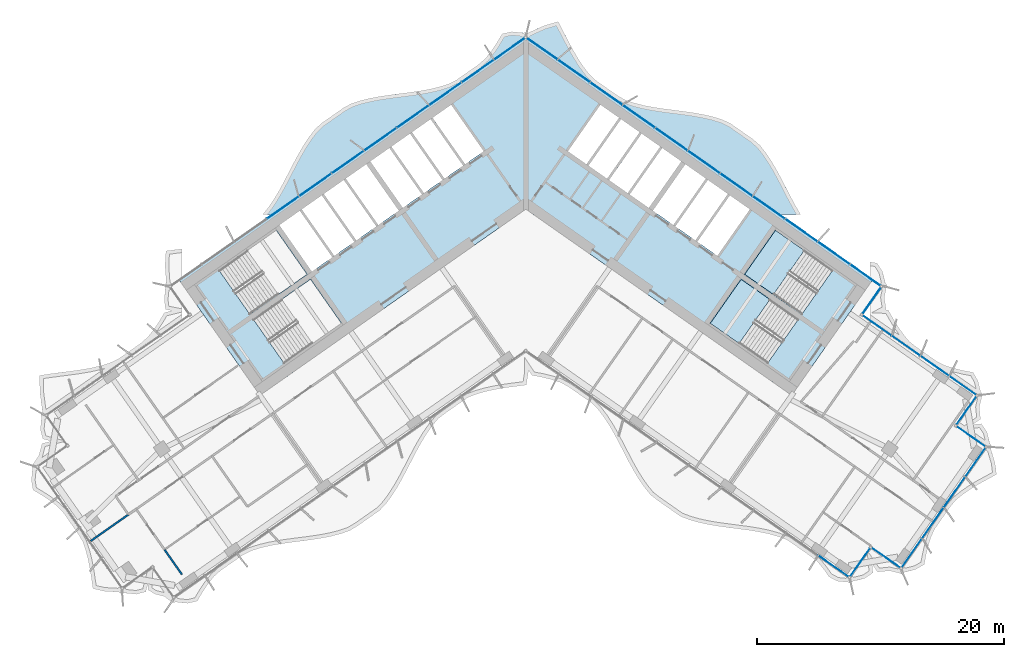
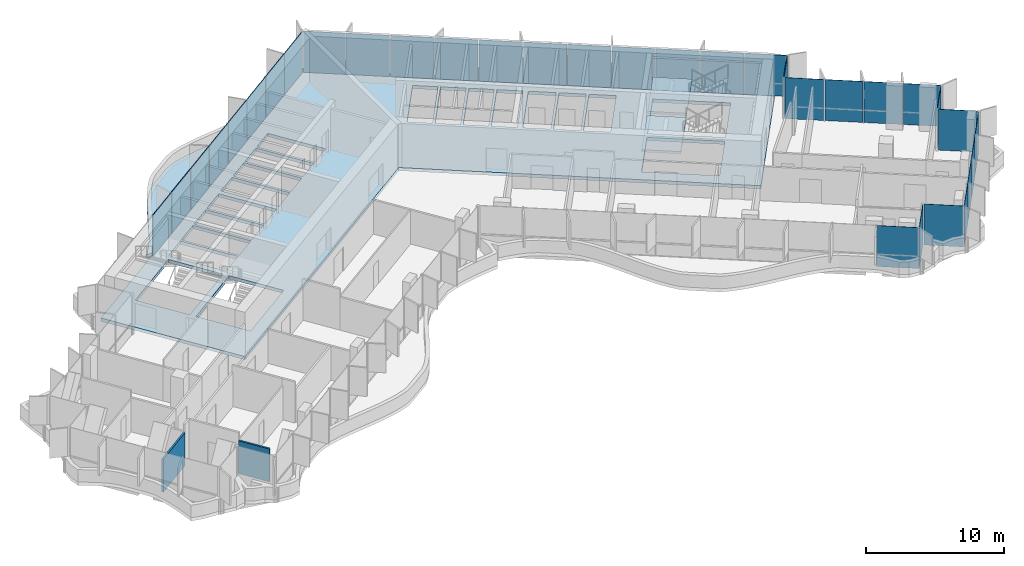
# One storey, part 11 of 21: 33 plates, 4 slabs, 2 walls, 4 elements without a shape of their own.
"""IFC4 building model written with IfcOpenShell, lengths in metres."""

from ifc_helpers import new_model, si_unit, direction, frame, frame_2d, origin, origin_2d, place, context, subcontext, project, spatial, polyline, rectangle, outline, extrude, material, layer, layer_set, type_object, element, aggregate, save


model = new_model("IFC4")

# Units and contexts
model_context = context("Model", 3, precision=1e-05, world=origin(), true_north=direction((0.0, 1.0)))
body_context = subcontext(model_context, "Body", "Model", "MODEL_VIEW")
ifc_project = project(units=[si_unit("LENGTHUNIT", "METRE"), si_unit("AREAUNIT", "SQUARE_METRE"), si_unit("VOLUMEUNIT", "CUBIC_METRE"), si_unit("PLANEANGLEUNIT", "RADIAN"), si_unit("MASSUNIT", "GRAM", prefix="KILO")], contexts=[model_context])

# Site, building, storey
site_placement = place(None, origin())
site = spatial("IfcSite", under=ifc_project, at=site_placement, CompositionType="ELEMENT")
building_placement = place(site_placement, origin())
building = spatial("IfcBuilding", under=site, at=building_placement, Name="Tel Ilan Convention Tower", CompositionType="ELEMENT")
storey_placement = place(building_placement, frame((0.0, 0.0, 163.199951171875)))
storey = spatial("IfcBuildingStorey", under=building, at=storey_placement, Name="L37", CompositionType="ELEMENT", Elevation=163.199951171875)

# Curtain wall, plates
ifc_material_1 = material(Name="Aluminium, bronze anodised", Category="aluminium")
curtain_wall_type_1 = type_object("IfcCurtainWallType", Name="CW4 STICK CURTAIN WALL, OFFICE TINTED GLASS", PredefinedType="NOTDEFINED", material=ifc_material_1)
curtain_wall_1_placement = place(storey_placement, origin())
curtain_wall_1 = element("IfcCurtainWall", 1, at=curtain_wall_1_placement, inside=storey, type_object=curtain_wall_type_1, Name="Curtain wall CW4-29.02", PredefinedType="NOTDEFINED")
ifc_material_2 = material(Name="Glass, bronze tinted, two-ply", Category="glass")
ifc_layer_1 = layer(ifc_material_2, 0.028076171875)
ifc_layer_set_1 = layer_set([ifc_layer_1], Name="CW GLASS PANEL 28")
plate_type_1 = type_object("IfcPlateType", Name="CW GLASS PANEL 28", PredefinedType="CURTAIN_PANEL", material=ifc_layer_set_1)
plate_1_placement = place(storey_placement, frame((24.958251953125, -30.172119140625, 0.0), z_axis=(0.0, 0.0, 1.0), x_axis=(0.819152044289, -0.573576436351, 0.0)))
plate_1 = element("IfcPlate", 2, at=plate_1_placement, type_object=plate_type_1, Name="Glass panel", PredefinedType="CURTAIN_PANEL", context=body_context, shape_type="SweptSolid", body=[
    extrude(rectangle(XDim=3.05078125, YDim=0.028076171875, at=origin_2d()), origin(), (0.0, 0.0, 1.0), 3.6201171875),
])
plate_2_placement = place(storey_placement, frame((27.065673828125, -29.863525390625, 0.0), z_axis=(0.0, 0.0, 1.0), x_axis=(0.573576436351, 0.819152044289, 0.0)))
plate_2 = element("IfcPlate", 3, at=plate_2_placement, type_object=plate_type_1, Name="Glass panel", PredefinedType="CURTAIN_PANEL", context=body_context, shape_type="SweptSolid", body=[
    extrude(rectangle(XDim=2.875, YDim=0.028076171875, at=origin_2d()), origin(), (0.0, 0.0, 1.0), 3.6201171875),
])
plate_3_placement = place(storey_placement, frame((29.20849609375, -29.48583984375, 0.0), z_axis=(0.0, 0.0, 1.0), x_axis=(0.819152044289, -0.573576436351, 0.0)))
plate_3 = element("IfcPlate", 4, at=plate_3_placement, type_object=plate_type_1, Name="Glass panel", PredefinedType="CURTAIN_PANEL", context=body_context, shape_type="SweptSolid", body=[
    extrude(rectangle(XDim=2.875, YDim=0.028076171875, at=origin_2d()), origin(), (0.0, 0.0, 1.0), 3.6201171875),
])
plate_4_placement = place(storey_placement, frame((31.25, -29.1181640625, 0.0), z_axis=(0.0, 0.0, 1.0), x_axis=(0.573576436351, 0.819152044289, 0.0)))
plate_4 = element("IfcPlate", 5, at=plate_4_placement, type_object=plate_type_1, Name="Glass panel", PredefinedType="CURTAIN_PANEL", context=body_context, shape_type="SweptSolid", body=[
    extrude(rectangle(XDim=2.89599609375, YDim=0.028076171875, at=origin_2d()), origin(), (0.0, 0.0, 1.0), 3.6201171875),
])
plate_5_placement = place(storey_placement, frame((32.972412109375, -26.658203125, 0.0), z_axis=(0.0, 0.0, 1.0), x_axis=(0.573576436351, 0.819152044289, 0.0)))
plate_5 = element("IfcPlate", 6, at=plate_5_placement, type_object=plate_type_1, Name="Glass panel", PredefinedType="CURTAIN_PANEL", context=body_context, shape_type="SweptSolid", body=[
    extrude(rectangle(XDim=2.989990234375, YDim=0.028076171875, at=origin_2d()), origin(), (0.0, 0.0, 1.0), 3.6201171875),
])
plate_6_placement = place(storey_placement, frame((34.721923828125, -24.159912109375, 0.0), z_axis=(0.0, 0.0, 1.0), x_axis=(0.573576436351, 0.819152044289, 0.0)))
plate_6 = element("IfcPlate", 7, at=plate_6_placement, type_object=plate_type_1, Name="Glass panel", PredefinedType="CURTAIN_PANEL", context=body_context, shape_type="SweptSolid", body=[
    extrude(rectangle(XDim=2.989990234375, YDim=0.028076171875, at=origin_2d()), origin(), (0.0, 0.0, 1.0), 3.6201171875),
])
plate_7_placement = place(storey_placement, frame((36.4443359375, -21.699951171875, 0.0), z_axis=(0.0, 0.0, 1.0), x_axis=(0.573576436351, 0.819152044289, 0.0)))
plate_7 = element("IfcPlate", 8, at=plate_7_placement, type_object=plate_type_1, Name="Glass panel", PredefinedType="CURTAIN_PANEL", context=body_context, shape_type="SweptSolid", body=[
    extrude(rectangle(XDim=2.89599609375, YDim=0.028076171875, at=origin_2d()), origin(), (0.0, 0.0, 1.0), 3.6201171875),
])
plate_8_placement = place(storey_placement, frame((36.09130859375, -19.656005859375, 0.0), z_axis=(0.0, 0.0, 1.0), x_axis=(-0.819152044289, 0.573576436351, 0.0)))
plate_8 = element("IfcPlate", 9, at=plate_8_placement, type_object=plate_type_1, Name="Glass panel", PredefinedType="CURTAIN_PANEL", context=body_context, shape_type="SweptSolid", body=[
    extrude(rectangle(XDim=2.875, YDim=0.028076171875, at=origin_2d()), origin(), (0.0, 0.0, 1.0), 3.6201171875),
])
plate_9_placement = place(storey_placement, frame((35.713623046875, -17.51318359375, 0.0), z_axis=(0.0, 0.0, 1.0), x_axis=(0.573576436351, 0.819152044289, 0.0)))
plate_9 = element("IfcPlate", 10, at=plate_9_placement, type_object=plate_type_1, Name="Glass panel", PredefinedType="CURTAIN_PANEL", context=body_context, shape_type="SweptSolid", body=[
    extrude(rectangle(XDim=2.875, YDim=0.028076171875, at=origin_2d()), origin(), (0.0, 0.0, 1.0), 3.6201171875),
])
plate_10_placement = place(storey_placement, frame((35.427978515625, -15.529052734375, 0.0), z_axis=(0.0, 0.0, 1.0), x_axis=(-0.819152044289, 0.573576436351, 0.0)))
plate_10 = element("IfcPlate", 11, at=plate_10_placement, type_object=plate_type_1, Name="Glass panel", PredefinedType="CURTAIN_PANEL", context=body_context, shape_type="SweptSolid", body=[
    extrude(rectangle(XDim=2.696044921875, YDim=0.028076171875, at=origin_2d()), origin(), (0.0, 0.0, 1.0), 3.6201171875),
])
plate_11_placement = place(storey_placement, frame((33.1318359375, -13.92138671875, 0.0), z_axis=(0.0, 0.0, 1.0), x_axis=(-0.819152044289, 0.573576436351, 0.0)))
plate_11 = element("IfcPlate", 12, at=plate_11_placement, type_object=plate_type_1, Name="Glass panel", PredefinedType="CURTAIN_PANEL", context=body_context, shape_type="SweptSolid", body=[
    extrude(rectangle(XDim=2.7900390625, YDim=0.028076171875, at=origin_2d()), origin(), (0.0, 0.0, 1.0), 3.6201171875),
])
plate_12_placement = place(storey_placement, frame((30.79736328125, -12.28662109375, 0.0), z_axis=(0.0, 0.0, 1.0), x_axis=(-0.819152044289, 0.573576436351, 0.0)))
plate_12 = element("IfcPlate", 13, at=plate_12_placement, type_object=plate_type_1, Name="Glass panel", PredefinedType="CURTAIN_PANEL", context=body_context, shape_type="SweptSolid", body=[
    extrude(rectangle(XDim=2.7900390625, YDim=0.028076171875, at=origin_2d()), origin(), (0.0, 0.0, 1.0), 3.6201171875),
])
plate_13_placement = place(storey_placement, frame((28.450927734375, -10.6435546875, 0.0), z_axis=(0.0, 0.0, 1.0), x_axis=(-0.819152044289, 0.573576436351, 0.0)))
plate_13 = element("IfcPlate", 14, at=plate_13_placement, type_object=plate_type_1, Name="Glass panel", PredefinedType="CURTAIN_PANEL", context=body_context, shape_type="SweptSolid", body=[
    extrude(rectangle(XDim=2.819091796875, YDim=0.028076171875, at=origin_2d()), origin(), (0.0, 0.0, 1.0), 3.6201171875),
])
aggregate(curtain_wall_1, [plate_1, plate_2, plate_3, plate_4, plate_5, plate_6, plate_7, plate_8, plate_9, plate_10, plate_11, plate_12, plate_13])

ifc_material_3 = material(Name="Aluminium, bronze anodised", Category="aluminium")
curtain_wall_type_2 = type_object("IfcCurtainWallType", Name="CW2 STICK CURTAIN WALL, SPANDREL PANELS", PredefinedType="NOTDEFINED", material=ifc_material_3)
curtain_wall_2_placement = place(storey_placement, origin())
curtain_wall_2 = element("IfcCurtainWall", 15, at=curtain_wall_2_placement, inside=storey, type_object=curtain_wall_type_2, Name="Curtain wall CW2-29.01", PredefinedType="NOTDEFINED")
ifc_material_4 = material(Name="Aluminium composite panel, bronze anodised", Category="aluminium")
ifc_layer_2 = layer(ifc_material_4, 0.06005859375)
ifc_layer_set_2 = layer_set([ifc_layer_2], Name="CW SPANDREL PANEL 60")
plate_type_2 = type_object("IfcPlateType", Name="CW SPANDREL PANEL 60", PredefinedType="CURTAIN_PANEL", material=ifc_layer_set_2)
plate_14_placement = place(storey_placement, frame((28.033935546875, -8.60546875, 0.0), z_axis=(0.0, 0.0, 1.0), x_axis=(0.573576436351, 0.819152044289, 0.0)))
plate_14 = element("IfcPlate", 16, at=plate_14_placement, type_object=plate_type_2, Name="Spandrel panel", PredefinedType="CURTAIN_PANEL", context=body_context, shape_type="SweptSolid", body=[
    extrude(rectangle(XDim=2.658935546875, YDim=0.06005859375, at=origin_2d()), origin(), (0.0, 0.0, 1.0), 3.6201171875),
])
plate_15_placement = place(storey_placement, frame((27.5400390625, -6.587646484375, 0.0), z_axis=(0.0, 0.0, 1.0), x_axis=(-0.819152044289, 0.573576436351, 0.0)))
plate_15 = element("IfcPlate", 17, at=plate_15_placement, type_object=plate_type_2, Name="Spandrel panel", PredefinedType="CURTAIN_PANEL", context=body_context, shape_type="SweptSolid", body=[
    extrude(rectangle(XDim=3.0439453125, YDim=0.06005859375, at=origin_2d()), origin(), (0.0, 0.0, 1.0), 3.6201171875),
])
plate_16_placement = place(storey_placement, frame((24.95263671875, -4.77587890625, 0.0), z_axis=(0.0, 0.0, 1.0), x_axis=(-0.819152044289, 0.573576436351, 0.0)))
plate_16 = element("IfcPlate", 18, at=plate_16_placement, type_object=plate_type_2, Name="Spandrel panel", PredefinedType="CURTAIN_PANEL", context=body_context, shape_type="SweptSolid", body=[
    extrude(rectangle(XDim=3.15380859375, YDim=0.06005859375, at=origin_2d()), origin(), (0.0, 0.0, 1.0), 3.6201171875),
])
plate_17_placement = place(storey_placement, frame((22.31982421875, -2.9326171875, 0.0), z_axis=(0.0, 0.0, 1.0), x_axis=(-0.819152044289, 0.573576436351, 0.0)))
plate_17 = element("IfcPlate", 19, at=plate_17_placement, type_object=plate_type_2, Name="Spandrel panel", PredefinedType="CURTAIN_PANEL", context=body_context, shape_type="SweptSolid", body=[
    extrude(rectangle(XDim=3.15380859375, YDim=0.06005859375, at=origin_2d()), origin(), (0.0, 0.0, 1.0), 3.6201171875),
])
plate_18_placement = place(storey_placement, frame((19.687255859375, -1.089111328125, 0.0), z_axis=(0.0, 0.0, 1.0), x_axis=(-0.819152044289, 0.573576436351, 0.0)))
plate_18 = element("IfcPlate", 20, at=plate_18_placement, type_object=plate_type_2, Name="Spandrel panel", PredefinedType="CURTAIN_PANEL", context=body_context, shape_type="SweptSolid", body=[
    extrude(rectangle(XDim=3.15380859375, YDim=0.06005859375, at=origin_2d()), origin(), (0.0, 0.0, 1.0), 3.6201171875),
])
plate_19_placement = place(storey_placement, frame((17.0546875, 0.754150390625, 0.0), z_axis=(0.0, 0.0, 1.0), x_axis=(-0.819152044289, 0.573576436351, 0.0)))
plate_19 = element("IfcPlate", 21, at=plate_19_placement, type_object=plate_type_2, Name="Spandrel panel", PredefinedType="CURTAIN_PANEL", context=body_context, shape_type="SweptSolid", body=[
    extrude(rectangle(XDim=3.15380859375, YDim=0.06005859375, at=origin_2d()), origin(), (0.0, 0.0, 1.0), 3.6201171875),
])
plate_20_placement = place(storey_placement, frame((14.422119140625, 2.59765625, 0.0), z_axis=(0.0, 0.0, 1.0), x_axis=(-0.819152044289, 0.573576436351, 0.0)))
plate_20 = element("IfcPlate", 22, at=plate_20_placement, type_object=plate_type_2, Name="Spandrel panel", PredefinedType="CURTAIN_PANEL", context=body_context, shape_type="SweptSolid", body=[
    extrude(rectangle(XDim=3.15380859375, YDim=0.06005859375, at=origin_2d()), origin(), (0.0, 0.0, 1.0), 3.6201171875),
])
plate_21_placement = place(storey_placement, frame((11.789306640625, 4.44091796875, 0.0), z_axis=(0.0, 0.0, 1.0), x_axis=(-0.819152044289, 0.573576436351, 0.0)))
plate_21 = element("IfcPlate", 23, at=plate_21_placement, type_object=plate_type_2, Name="Spandrel panel", PredefinedType="CURTAIN_PANEL", context=body_context, shape_type="SweptSolid", body=[
    extrude(rectangle(XDim=3.15380859375, YDim=0.06005859375, at=origin_2d()), origin(), (0.0, 0.0, 1.0), 3.6201171875),
])
plate_22_placement = place(storey_placement, frame((9.15673828125, 6.284423828125, 0.0), z_axis=(0.0, 0.0, 1.0), x_axis=(-0.819152044289, 0.573576436351, 0.0)))
plate_22 = element("IfcPlate", 24, at=plate_22_placement, type_object=plate_type_2, Name="Spandrel panel", PredefinedType="CURTAIN_PANEL", context=body_context, shape_type="SweptSolid", body=[
    extrude(rectangle(XDim=3.15380859375, YDim=0.06005859375, at=origin_2d()), origin(), (0.0, 0.0, 1.0), 3.6201171875),
])
plate_23_placement = place(storey_placement, frame((6.524169921875, 8.127685546875, 0.0), z_axis=(0.0, 0.0, 1.0), x_axis=(-0.819152044289, 0.573576436351, 0.0)))
plate_23 = element("IfcPlate", 25, at=plate_23_placement, type_object=plate_type_2, Name="Spandrel panel", PredefinedType="CURTAIN_PANEL", context=body_context, shape_type="SweptSolid", body=[
    extrude(rectangle(XDim=3.15380859375, YDim=0.06005859375, at=origin_2d()), origin(), (0.0, 0.0, 1.0), 3.6201171875),
])
plate_24_placement = place(storey_placement, frame((3.8916015625, 9.97119140625, 0.0), z_axis=(0.0, 0.0, 1.0), x_axis=(-0.819152044289, 0.573576436351, 0.0)))
plate_24 = element("IfcPlate", 26, at=plate_24_placement, type_object=plate_type_2, Name="Spandrel panel", PredefinedType="CURTAIN_PANEL", context=body_context, shape_type="SweptSolid", body=[
    extrude(rectangle(XDim=3.15380859375, YDim=0.06005859375, at=origin_2d()), origin(), (0.0, 0.0, 1.0), 3.6201171875),
])
plate_25_placement = place(storey_placement, frame((1.303955078125, 11.782958984375, 0.0), z_axis=(0.0, 0.0, 1.0), x_axis=(-0.819152044289, 0.573576436351, 0.0)))
plate_25 = element("IfcPlate", 27, at=plate_25_placement, type_object=plate_type_2, Name="Spandrel panel", PredefinedType="CURTAIN_PANEL", context=body_context, shape_type="SweptSolid", body=[
    extrude(rectangle(XDim=3.0439453125, YDim=0.06005859375, at=origin_2d()), origin(), (0.0, 0.0, 1.0), 3.6201171875),
])
plate_26_placement = place(storey_placement, frame((-1.303955078125, 11.782958984375, 0.0), z_axis=(0.0, 0.0, 1.0), x_axis=(-0.819152044289, -0.573576436351, 0.0)))
plate_26 = element("IfcPlate", 28, at=plate_26_placement, type_object=plate_type_2, Name="Spandrel panel", PredefinedType="CURTAIN_PANEL", context=body_context, shape_type="SweptSolid", body=[
    extrude(rectangle(XDim=3.0439453125, YDim=0.06005859375, at=origin_2d()), origin(), (0.0, 0.0, 1.0), 3.6201171875),
])
plate_27_placement = place(storey_placement, frame((-3.8916015625, 9.97119140625, 0.0), z_axis=(0.0, 0.0, 1.0), x_axis=(-0.819152044289, -0.573576436351, 0.0)))
plate_27 = element("IfcPlate", 29, at=plate_27_placement, type_object=plate_type_2, Name="Spandrel panel", PredefinedType="CURTAIN_PANEL", context=body_context, shape_type="SweptSolid", body=[
    extrude(rectangle(XDim=3.15380859375, YDim=0.06005859375, at=origin_2d()), origin(), (0.0, 0.0, 1.0), 3.6201171875),
])
plate_28_placement = place(storey_placement, frame((-6.524169921875, 8.127685546875, 0.0), z_axis=(0.0, 0.0, 1.0), x_axis=(-0.819152044289, -0.573576436351, 0.0)))
plate_28 = element("IfcPlate", 30, at=plate_28_placement, type_object=plate_type_2, Name="Spandrel panel", PredefinedType="CURTAIN_PANEL", context=body_context, shape_type="SweptSolid", body=[
    extrude(rectangle(XDim=3.15380859375, YDim=0.06005859375, at=origin_2d()), origin(), (0.0, 0.0, 1.0), 3.6201171875),
])
plate_29_placement = place(storey_placement, frame((-9.15673828125, 6.284423828125, 0.0), z_axis=(0.0, 0.0, 1.0), x_axis=(-0.819152044289, -0.573576436351, 0.0)))
plate_29 = element("IfcPlate", 31, at=plate_29_placement, type_object=plate_type_2, Name="Spandrel panel", PredefinedType="CURTAIN_PANEL", context=body_context, shape_type="SweptSolid", body=[
    extrude(rectangle(XDim=3.15380859375, YDim=0.06005859375, at=origin_2d()), origin(), (0.0, 0.0, 1.0), 3.6201171875),
])
plate_30_placement = place(storey_placement, frame((-11.789306640625, 4.44091796875, 0.0), z_axis=(0.0, 0.0, 1.0), x_axis=(-0.819152044289, -0.573576436351, 0.0)))
plate_30 = element("IfcPlate", 32, at=plate_30_placement, type_object=plate_type_2, Name="Spandrel panel", PredefinedType="CURTAIN_PANEL", context=body_context, shape_type="SweptSolid", body=[
    extrude(rectangle(XDim=3.15380859375, YDim=0.06005859375, at=origin_2d()), origin(), (0.0, 0.0, 1.0), 3.6201171875),
])
plate_31_placement = place(storey_placement, frame((-14.422119140625, 2.59765625, 0.0), z_axis=(0.0, 0.0, 1.0), x_axis=(-0.819152044289, -0.573576436351, 0.0)))
plate_31 = element("IfcPlate", 33, at=plate_31_placement, type_object=plate_type_2, Name="Spandrel panel", PredefinedType="CURTAIN_PANEL", context=body_context, shape_type="SweptSolid", body=[
    extrude(rectangle(XDim=3.15380859375, YDim=0.06005859375, at=origin_2d()), origin(), (0.0, 0.0, 1.0), 3.6201171875),
])
plate_32_placement = place(storey_placement, frame((-17.0546875, 0.754150390625, 0.0), z_axis=(0.0, 0.0, 1.0), x_axis=(-0.819152044289, -0.573576436351, 0.0)))
plate_32 = element("IfcPlate", 34, at=plate_32_placement, type_object=plate_type_2, Name="Spandrel panel", PredefinedType="CURTAIN_PANEL", context=body_context, shape_type="SweptSolid", body=[
    extrude(rectangle(XDim=3.15380859375, YDim=0.06005859375, at=origin_2d()), origin(), (0.0, 0.0, 1.0), 3.6201171875),
])
plate_33_placement = place(storey_placement, frame((-19.687255859375, -1.089111328125, 0.0), z_axis=(0.0, 0.0, 1.0), x_axis=(-0.819152044289, -0.573576436351, 0.0)))
plate_33 = element("IfcPlate", 35, at=plate_33_placement, type_object=plate_type_2, Name="Spandrel panel", PredefinedType="CURTAIN_PANEL", context=body_context, shape_type="SweptSolid", body=[
    extrude(rectangle(XDim=3.15380859375, YDim=0.06005859375, at=origin_2d()), origin(), (0.0, 0.0, 1.0), 3.6201171875),
])
aggregate(curtain_wall_2, [plate_14, plate_15, plate_16, plate_17, plate_18, plate_19, plate_20, plate_21, plate_22, plate_23, plate_24, plate_25, plate_26, plate_27, plate_28, plate_29, plate_30, plate_31, plate_32, plate_33])

# Stair, slab
ifc_material_5 = material(Name="Concrete C40/50", Category="concrete")
stair_type = type_object("IfcStairType", Name="Pressurised Exit Stair 22 risers 177 mm", PredefinedType="HALF_TURN_STAIR", material=ifc_material_5)
stair_1_placement = place(storey_placement, origin())
stair_1 = element("IfcStair", 36, at=stair_1_placement, inside=storey, type_object=stair_type, Name="L37 Pressurised Stair S3", PredefinedType="HALF_TURN_STAIR")
ifc_material_6 = material(Name="Concrete C40/50", Category="concrete")
ifc_layer_3 = layer(ifc_material_6, 0.199951171875)
ifc_layer_set_3 = layer_set([ifc_layer_3], Name="Concrete Stair Landing 200 mm C40/50")
slab_type_1 = type_object("IfcSlabType", Name="Concrete Stair Landing 200 mm", PredefinedType="LANDING", material=ifc_layer_set_3)
slab_1_placement = place(storey_placement, frame((0.0, 0.0, 1.75)))
slab_1 = element("IfcSlab", 37, at=slab_1_placement, type_object=slab_type_1, Name="S3 landing 1", PredefinedType="LANDING", context=body_context, shape_type="SweptSolid", body=[
    extrude(outline(polyline([(22.561767578125, -4.566650390625), (20.226318359375, -2.931640625), (17.7314453125, -6.494873046875), (20.066650390625, -8.130126953125), (22.561767578125, -4.566650390625)])), origin(), (0.0, 0.0, 1.0), 0.199951171875),
])
aggregate(stair_1, [slab_1])

stair_2_placement = place(storey_placement, origin())
stair_2 = element("IfcStair", 38, at=stair_2_placement, inside=storey, type_object=stair_type, Name="L37 Pressurised Stair S4", PredefinedType="HALF_TURN_STAIR")
slab_2_placement = place(storey_placement, frame((0.0, 0.0, 1.75)))
slab_2 = element("IfcSlab", 39, at=slab_2_placement, type_object=slab_type_1, Name="S4 landing 1", PredefinedType="LANDING", context=body_context, shape_type="SweptSolid", body=[
    extrude(outline(polyline([(19.77978515625, -8.53955078125), (17.444580078125, -6.904541015625), (14.949462890625, -10.4677734375), (17.28466796875, -12.10302734375), (19.77978515625, -8.53955078125)])), origin(), (0.0, 0.0, 1.0), 0.199951171875),
])
aggregate(stair_2, [slab_2])

# Slabs
ifc_material_7 = material(Name="Concrete C40/50", Category="concrete")
ifc_layer_4 = layer(ifc_material_7, 0.280029296875)
ifc_layer_set_4 = layer_set([ifc_layer_4], Name="Core Floor Slab 280 mm C40/50")
slab_type_2 = type_object("IfcSlabType", Name="Core Floor Slab 280 mm C40/50", PredefinedType="FLOOR", material=ifc_layer_set_4)
slab_3_placement = place(storey_placement, frame((0.0, 0.0, -0.280029296875)))
element("IfcSlab", 40, at=slab_3_placement, inside=storey, type_object=slab_type_2, Name="L37 core floor 1", PredefinedType="FLOOR", context=body_context, shape_type="SweptSolid", body=[
    extrude(outline(polyline([(-28.1396484375, -6.885498046875), (0.0, 12.818115234375), (28.1396484375, -6.885498046875), (21.54345703125, -16.3056640625), (0.0, -1.220703125), (-21.54345703125, -16.3056640625), (-28.1396484375, -6.885498046875)]), holes=[polyline([(-14.949462890625, -10.4677734375), (-17.444580078125, -6.904541015625), (-22.072021484375, -10.144775390625), (-19.5771484375, -13.7080078125), (-14.949462890625, -10.4677734375)]), polyline([(-17.7314453125, -6.494873046875), (-20.226318359375, -2.931640625), (-24.85400390625, -6.171875), (-22.35888671875, -9.735107421875), (-17.7314453125, -6.494873046875)]), polyline([(-18.313720703125, -1.34814453125), (-19.972412109375, -2.509521484375), (-17.333984375, -6.277587890625), (-15.67529296875, -5.1162109375), (-18.313720703125, -1.34814453125)]), polyline([(-16.531982421875, -0.1005859375), (-18.14990234375, -1.2333984375), (-15.511474609375, -5.00146484375), (-13.8935546875, -3.86865234375), (-16.531982421875, -0.1005859375)]), polyline([(-14.75048828125, 1.14697265625), (-16.368408203125, 0.01416015625), (-13.729736328125, -3.75390625), (-12.112060546875, -2.62109375), (-14.75048828125, 1.14697265625)]), polyline([(-12.927734375, 2.423095703125), (-14.586669921875, 1.26171875), (-11.947998046875, -2.506591796875), (-10.289306640625, -1.344970703125), (-12.927734375, 2.423095703125)]), polyline([(-11.053955078125, 3.735107421875), (-12.60009765625, 2.652587890625), (-9.961669921875, -1.115478515625), (-8.41552734375, -0.032958984375), (-11.053955078125, 3.735107421875)]), polyline([(-6.74658203125, 1.1357421875), (-9.385009765625, 4.90380859375), (-10.89013671875, 3.849853515625), (-8.251708984375, 0.081787109375), (-6.74658203125, 1.1357421875)]), polyline([(-5.077392578125, 2.304443359375), (-7.716064453125, 6.072509765625), (-9.22119140625, 5.0185546875), (-6.582763671875, 1.25048828125), (-5.077392578125, 2.304443359375)]), polyline([(-6.046875, 7.2412109375), (-7.552001953125, 6.187255859375), (-4.913818359375, 2.419189453125), (-3.408447265625, 3.47314453125), (-6.046875, 7.2412109375)]), polyline([(17.444580078125, -6.904541015625), (14.949462890625, -10.4677734375), (19.5771484375, -13.7080078125), (22.072021484375, -10.144775390625), (17.444580078125, -6.904541015625)]), polyline([(20.226318359375, -2.931640625), (17.7314453125, -6.494873046875), (22.35888671875, -9.735107421875), (24.85400390625, -6.171875), (20.226318359375, -2.931640625)]), polyline([(13.8935546875, -3.86865234375), (15.511474609375, -5.00146484375), (18.14990234375, -1.2333984375), (16.531982421875, -0.1005859375), (13.8935546875, -3.86865234375)]), polyline([(12.112060546875, -2.62109375), (13.729736328125, -3.75390625), (16.368408203125, 0.01416015625), (14.75048828125, 1.14697265625), (12.112060546875, -2.62109375)]), polyline([(11.947998046875, -2.506591796875), (14.586669921875, 1.26171875), (12.927734375, 2.423095703125), (10.289306640625, -1.344970703125), (11.947998046875, -2.506591796875)]), polyline([(9.961669921875, -1.115478515625), (12.60009765625, 2.652587890625), (11.053955078125, 3.735107421875), (8.41552734375, -0.032958984375), (9.961669921875, -1.115478515625)]), polyline([(8.251708984375, 0.081787109375), (10.89013671875, 3.849853515625), (9.385009765625, 4.90380859375), (6.74658203125, 1.1357421875), (8.251708984375, 0.081787109375)]), polyline([(5.077392578125, 2.304443359375), (6.582763671875, 1.25048828125), (9.22119140625, 5.0185546875), (7.716064453125, 6.072509765625), (5.077392578125, 2.304443359375)]), polyline([(3.408447265625, 3.47314453125), (4.913818359375, 2.419189453125), (7.552001953125, 6.187255859375), (6.046875, 7.2412109375), (3.408447265625, 3.47314453125)])]), origin(), (0.0, 0.0, 1.0), 0.280029296875),
])
ifc_material_8 = material(Name="Concrete C40/50", Category="concrete")
ifc_layer_5 = layer(ifc_material_8, 0.280029296875)
ifc_layer_set_5 = layer_set([ifc_layer_5], Name="Edge Ledge Slab 280 mm C40/50")
slab_type_3 = type_object("IfcSlabType", Name="Edge Ledge Slab 280 mm C40/50", PredefinedType="FLOOR", material=ifc_layer_set_5)
slab_4_placement = place(storey_placement, frame((0.0, 0.0, -0.280029296875)))
element("IfcSlab", 41, at=slab_4_placement, inside=storey, type_object=slab_type_3, Name="L37 edge ledge 2", PredefinedType="FLOOR", context=body_context, shape_type="SweptSolid", body=[
    extrude(outline(polyline([(-19.60009765625, 1.004150390625), (-19.217529296875, 1.741943359375), (-18.83642578125, 2.481689453125), (-18.44677734375, 3.209228515625), (-18.0390625, 3.910888671875), (-17.604736328125, 4.574951171875), (-17.13671875, 5.190185546875), (-16.6015625, 5.71044921875), (-14.791748046875, 6.977783203125), (-14.1416015625, 7.33349609375), (-13.41064453125, 7.573486328125), (-12.644287109375, 7.76318359375), (-11.849853515625, 7.91259765625), (-11.03564453125, 8.033935546875), (-10.211181640625, 8.140380859375), (-9.385986328125, 8.24609375), (-8.570068359375, 8.36474609375), (-7.7724609375, 8.509765625), (-7.002197265625, 8.693603515625), (-6.26611328125, 8.926513671875), (-5.601806640625, 9.261962890625), (-3.7919921875, 10.529296875), (-3.2421875, 11.0283203125), (-2.769287109375, 11.63671875), (-2.3310546875, 12.294921875), (-1.919921875, 12.991943359375), (-1.14208984375, 13.1650390625), (-0.172119140625, 13.06396484375), (-0.168701171875, 13.05908203125), (-0.11474609375, 13.09521484375), (0.0, 13.1181640625), (0.11474609375, 13.09521484375), (0.168701171875, 13.05908203125), (0.172119140625, 13.06396484375), (1.4794921875, 13.647216796875), (2.6162109375, 13.986328125), (3.000244140625, 13.250732421875), (3.38134765625, 12.510986328125), (3.770263671875, 11.7822265625), (4.176513671875, 11.078369140625), (4.608642578125, 10.41162109375), (5.074462890625, 9.792724609375), (5.601806640625, 9.261962890625), (7.411865234375, 7.99462890625), (8.054931640625, 7.62890625), (8.783447265625, 7.385498046875), (9.547607421875, 7.19287109375), (10.340576171875, 7.041015625), (11.15380859375, 6.91845703125), (11.977783203125, 6.811279296875), (12.80322265625, 6.7060546875), (13.6201171875, 6.588623046875), (14.419189453125, 6.44580078125), (15.191650390625, 6.2646484375), (15.929931640625, 6.03515625), (16.6015625, 5.71044921875), (18.41162109375, 4.443115234375), (18.96826171875, 3.9541015625), (19.44384765625, 3.34912109375), (19.884033203125, 2.69384765625), (20.296142578125, 1.998291015625), (20.688720703125, 1.27490234375), (21.07080078125, 0.53662109375), (21.4521484375, -0.202880859375), (21.8427734375, -0.928955078125), (22.25341796875, -1.631591796875), (20.63623046875, -1.631591796875), (0.0, 12.818115234375), (-20.63623046875, -1.631591796875), (-21.30126953125, -1.631591796875), (-20.849609375, -1.0634765625), (-20.4072265625, -0.4111328125), (-19.993408203125, 0.281982421875), (-19.60009765625, 1.004150390625)])), origin(), (0.0, 0.0, 1.0), 0.280029296875),
])

# Walls
ifc_material_9 = material(Name="Plasterboard on Steel Studs", Category="steel")
ifc_layer_6 = layer(ifc_material_9, 0.14990234375)
ifc_layer_set_6 = layer_set([ifc_layer_6], Name="Fire-rated Partition 150 EI 60")
wall_type = type_object("IfcWallType", Name="Fire-rated Partition 150 EI 60", PredefinedType="PARTITIONING", material=ifc_layer_set_6)
wall_1_placement = place(storey_placement, frame((-32.1943359375, -25.960693359375, 0.0), z_axis=(0.0, 0.0, 1.0), x_axis=(-0.819139845177, -0.573593858094, 0.0)))
element("IfcWall", 42, at=wall_1_placement, inside=storey, type_object=wall_type, Name="Partition 039", PredefinedType="PARTITIONING", context=body_context, shape_type="SweptSolid", body=[
    extrude(rectangle(XDim=3.737548828125, YDim=0.14990234375, at=frame_2d((1.86865234375, 0.0))), origin(), (0.0, 0.0, 1.0), 2.900146484375),
])
wall_2_placement = place(storey_placement, frame((-27.860595703125, -30.820556640625, 0.0), z_axis=(0.0, 0.0, 1.0), x_axis=(-0.573588597125, 0.819143529089, 0.0)))
element("IfcWall", 43, at=wall_2_placement, inside=storey, type_object=wall_type, Name="Partition 049", PredefinedType="PARTITIONING", context=body_context, shape_type="SweptSolid", body=[
    extrude(rectangle(XDim=2.4658203125, YDim=0.14990234375, at=frame_2d((1.23291015625, 0.0))), origin(), (0.0, 0.0, 1.0), 2.900146484375),
])

save(model, "model.ifc")
